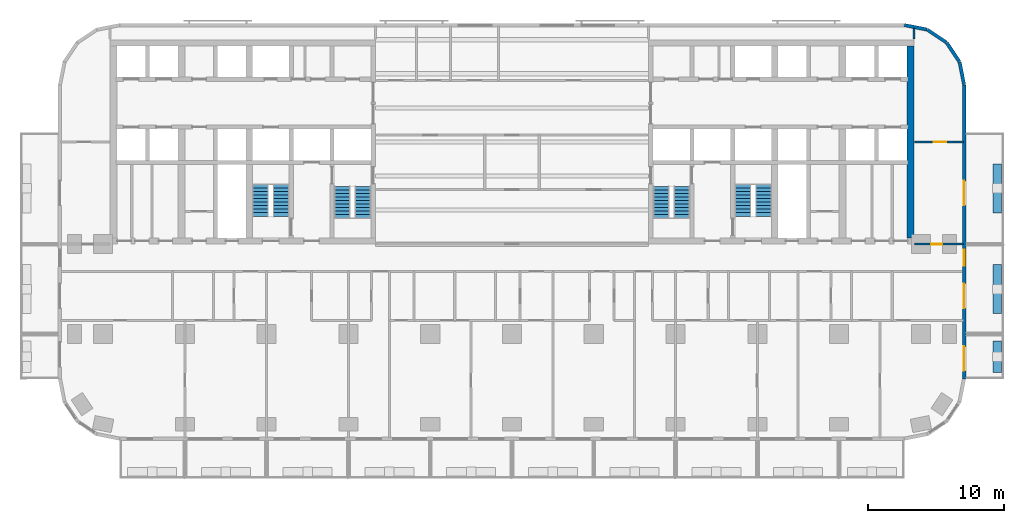
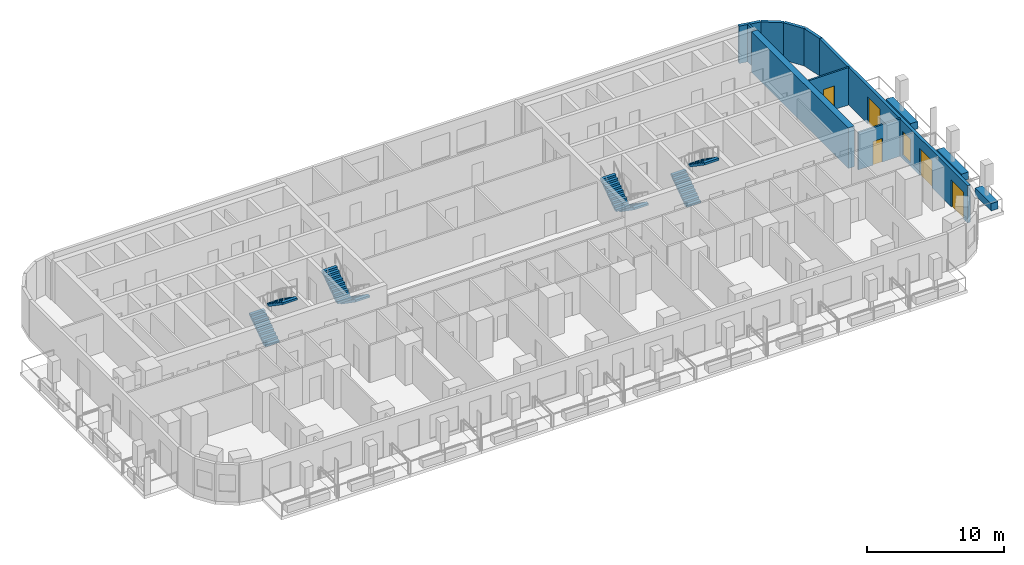
# One storey, part 10 of 15: 12 walls, 8 stair flights, 5 doors, 1 window, 6 openings, 4 elements without a shape of their own.
"""IFC4 building model written with IfcOpenShell, lengths in metres."""

from ifc_helpers import new_model, si_unit, direction, frame, frame_2d, origin, place, context, subcontext, project, spatial, polyline, rectangle, outline, extrude, material, layer, layer_set, type_object, element, fill, aggregate, save


model = new_model("IFC4")

# Units and contexts
model_context = context("Model", 3, precision=1e-05, world=origin(), true_north=direction((0.0, 1.0)))
body_context = subcontext(model_context, "Body", "Model", "MODEL_VIEW")
ifc_project = project(units=[si_unit("LENGTHUNIT", "METRE"), si_unit("AREAUNIT", "SQUARE_METRE"), si_unit("VOLUMEUNIT", "CUBIC_METRE"), si_unit("PLANEANGLEUNIT", "RADIAN"), si_unit("MASSUNIT", "GRAM", prefix="KILO")], contexts=[model_context])

# Site, building, storey
site_placement = place(None, origin())
site = spatial("IfcSite", under=ifc_project, at=site_placement, CompositionType="ELEMENT")
building_placement = place(site_placement, origin())
building = spatial("IfcBuilding", under=site, at=building_placement, Name="Torana Hotel and Residences", CompositionType="ELEMENT")
storey_placement = place(building_placement, frame((0.0, 0.0, 92.39990234375)))
storey = spatial("IfcBuildingStorey", under=building, at=storey_placement, Name="L23", CompositionType="ELEMENT", Elevation=92.39990234375)

# Walls
ifc_material_1 = material(Name="Concrete C80/95", Category="concrete")
ifc_layer_1 = layer(ifc_material_1, 0.5)
ifc_layer_set_1 = layer_set([ifc_layer_1], Name="CORE WALL 500 C80/95")
wall_type_1 = type_object("IfcWallType", Name="CORE WALL 500 C80/95", PredefinedType="SHEAR", material=ifc_layer_set_1)
wall_1_placement = place(storey_placement, frame((29.25, -14.550048828125, 0.0), z_axis=(0.0, 0.0, 1.0), x_axis=(0.0, 1.0, 0.0)))
element("IfcWall", 1, at=wall_1_placement, inside=storey, type_object=wall_type_1, Name="Core wall E outer", PredefinedType="SHEAR", context=body_context, shape_type="SweptSolid", body=[
    extrude(rectangle(XDim=14.10009765625, YDim=0.5, at=frame_2d((7.050048828125, 0.0))), origin(), (0.0, 0.0, 1.0), 3.60009765625),
])
ifc_material_2 = material(Name="Black aluminium composite panel", Category="aluminium")
ifc_layer_2 = layer(ifc_material_2, 0.00390625, Name="Cladding", Category="cladding")
ifc_material_3 = material(Name="Ventilated air cavity")
ifc_layer_3 = layer(ifc_material_3, 0.0400390625, Name="Ventilated cavity", Category="cavity")
ifc_material_4 = material(Name="Mineral wool insulation")
ifc_layer_4 = layer(ifc_material_4, 0.090087890625, Name="Insulation", Category="insulation")
ifc_material_5 = material(Name="Steel S280GD", Category="steel")
ifc_layer_5 = layer(ifc_material_5, 0.092041015625, Name="Steel stud frame", Category="structure")
ifc_material_6 = material(Name="Fire rated plasterboard")
ifc_layer_6 = layer(ifc_material_6, 0.011962890625, Name="Inner board", Category="finish")
ifc_layer_7 = layer(ifc_material_6, 0.011962890625, Name="Second board", Category="finish")
ifc_layer_set_2 = layer_set([ifc_layer_2, ifc_layer_3, ifc_layer_4, ifc_layer_5, ifc_layer_6, ifc_layer_7], Name="EW1 EXTERNAL WALL BLACK METAL CLAD 250")
wall_type_2 = type_object("IfcWallType", Name="EW1 EXTERNAL WALL BLACK METAL CLAD 250", PredefinedType="SOLIDWALL", material=ifc_layer_set_2)
wall_2_placement = place(storey_placement, frame((33.172607421875, -3.30029296875, 0.0), z_axis=(0.0, 0.0, 1.0), x_axis=(-0.19513878023, 0.980775640221, 0.0)))
element("IfcWall", 2, at=wall_2_placement, inside=storey, type_object=wall_type_2, Name="External wall L23 e0.0", PredefinedType="SOLIDWALL", context=body_context, shape_type="SweptSolid", body=[
    extrude(rectangle(XDim=1.681396484375, YDim=0.25, at=frame_2d((0.8408203125, 0.0))), origin(), (0.0, 0.0, 1.0), 3.320068359375),
])
for number, where, z_axis, x_axis, name in (
    (3, (32.825927734375, -1.60595703125, 0.0), (0.0, 0.0, 1.0), (-0.55555029066, 0.831482937015, 0.0), "External wall L23 e0.1"),
    (4, (31.87109375, -0.1943359375, 0.0), (0.0, 0.0, 1.0), (-0.831482937015, 0.55555029066, 0.0), "External wall L23 e0.2"),
):
    element("IfcWall", number, at=place(storey_placement, frame(where, z_axis=z_axis, x_axis=x_axis)), inside=storey, type_object=wall_type_2, Name=name, PredefinedType="SOLIDWALL", context=body_context, shape_type="SweptSolid", body=[
        extrude(rectangle(XDim=1.65625, YDim=0.25, at=frame_2d((0.828125, 0.0))), origin(), (0.0, 0.0, 1.0), 3.320068359375),
    ])
wall_3_placement = place(storey_placement, frame((30.448974609375, 0.74462890625, 0.0), z_axis=(0.0, 0.0, 1.0), x_axis=(-0.980803419081, 0.194999110559, 0.0)))
element("IfcWall", 5, at=wall_3_placement, inside=storey, type_object=wall_type_2, Name="External wall L23 e0.3", PredefinedType="SOLIDWALL", context=body_context, shape_type="SweptSolid", body=[
    extrude(rectangle(XDim=1.681396484375, YDim=0.25, at=frame_2d((0.8408203125, 0.0))), origin(), (0.0, 0.0, 1.0), 3.320068359375),
])

# Wall, openings, doors, window
wall_4_placement = place(storey_placement, frame((33.175048828125, -24.87548828125, 0.0), z_axis=(0.0, 0.0, 1.0), x_axis=(0.0, 1.0, 0.0)))
wall_4 = element("IfcWall", 6, at=wall_4_placement, inside=storey, type_object=wall_type_2, Name="External wall L23 e0.19", PredefinedType="SOLIDWALL", context=body_context, shape_type="SweptSolid", body=[
    extrude(rectangle(XDim=21.55078125, YDim=0.25, at=frame_2d((10.775390625, 0.0))), origin(), (0.0, 0.0, 1.0), 3.320068359375),
])
opening_1_placement = place(wall_4_placement, frame((0.575439453125, 0.0, 0.0)))
opening_1 = element("IfcOpeningElement", 7, at=opening_1_placement, cuts=wall_4, Name="Opening L23-E11", PredefinedType="OPENING", context=body_context, shape_type="SweptSolid", body=[
    extrude(rectangle(XDim=1.800048828125, YDim=2.39990234375, at=frame_2d((0.89990234375, 1.199951171875))), frame((0.0, 0.135009765625, 0.0), z_axis=(0.0, -1.0, 0.0), x_axis=(1.0, 0.0, 0.0)), (0.0, 0.0, 1.0), 0.27001953125),
])
opening_2_placement = place(wall_4_placement, frame((5.17529296875, 0.0, 0.0)))
opening_2 = element("IfcOpeningElement", 8, at=opening_2_placement, cuts=wall_4, Name="Opening L23-E12", PredefinedType="OPENING", context=body_context, shape_type="SweptSolid", body=[
    extrude(rectangle(XDim=1.800048828125, YDim=2.39990234375, at=frame_2d((0.89990234375, 1.199951171875))), frame((0.0, 0.135009765625, 0.0), z_axis=(0.0, -1.0, 0.0), x_axis=(1.0, 0.0, 0.0)), (0.0, 0.0, 1.0), 0.27001953125),
])
opening_3_placement = place(wall_4_placement, frame((8.275390625, 0.0, 0.300048828125)))
opening_3 = element("IfcOpeningElement", 9, at=opening_3_placement, cuts=wall_4, Name="Opening W7", PredefinedType="OPENING", context=body_context, shape_type="SweptSolid", body=[
    extrude(rectangle(XDim=1.199951171875, YDim=2.10009765625, at=frame_2d((0.60009765625, 1.050048828125))), frame((0.0, 0.135009765625, 0.0), z_axis=(0.0, -1.0, 0.0), x_axis=(1.0, 0.0, 0.0)), (0.0, 0.0, 1.0), 0.27001953125),
])
opening_4_placement = place(wall_4_placement, frame((12.725341796875, 0.0, 0.0)))
opening_4 = element("IfcOpeningElement", 10, at=opening_4_placement, cuts=wall_4, Name="Opening L23-E13", PredefinedType="OPENING", context=body_context, shape_type="SweptSolid", body=[
    extrude(rectangle(XDim=1.800048828125, YDim=2.39990234375, at=frame_2d((0.89990234375, 1.199951171875))), frame((0.0, 0.135009765625, 0.0), z_axis=(0.0, -1.0, 0.0), x_axis=(1.0, 0.0, 0.0)), (0.0, 0.0, 1.0), 0.27001953125),
])
ifc_material_7 = material(Name="Dark glass in black aluminium frame", Category="aluminium")
door_type_1 = type_object("IfcDoorType", Name="DB1 BALCONY DOOR 1800x2400", OperationType="DOUBLE_DOOR_SINGLE_SWING", PredefinedType="DOOR", material=ifc_material_7)
door_1_placement = place(opening_1_placement, origin())
door_1 = element("IfcDoor", 11, at=door_1_placement, inside=storey, type_object=door_type_1, Name="Balcony door L23", OperationType="DOUBLE_DOOR_SINGLE_SWING", OverallHeight=2.39990234375, OverallWidth=1.800048828125, PredefinedType="DOOR", context=body_context, shape_type="SweptSolid", body=[
    extrude(rectangle(XDim=1.800048828125, YDim=2.39990234375, at=frame_2d((0.89990234375, 1.199951171875))), frame((0.0, 0.02490234375, 0.0), z_axis=(0.0, -1.0, 0.0), x_axis=(1.0, 0.0, 0.0)), (0.0, 0.0, 1.0), 0.050048828125),
])
fill(opening_1, door_1)
door_2_placement = place(opening_2_placement, origin())
door_2 = element("IfcDoor", 12, at=door_2_placement, inside=storey, type_object=door_type_1, Name="Balcony door L23", OperationType="DOUBLE_DOOR_SINGLE_SWING", OverallHeight=2.39990234375, OverallWidth=1.800048828125, PredefinedType="DOOR", context=body_context, shape_type="SweptSolid", body=[
    extrude(rectangle(XDim=1.800048828125, YDim=2.39990234375, at=frame_2d((0.89990234375, 1.199951171875))), frame((0.0, 0.02490234375, 0.0), z_axis=(0.0, -1.0, 0.0), x_axis=(1.0, 0.0, 0.0)), (0.0, 0.0, 1.0), 0.050048828125),
])
fill(opening_2, door_2)
door_3_placement = place(opening_4_placement, origin())
door_3 = element("IfcDoor", 13, at=door_3_placement, inside=storey, type_object=door_type_1, Name="Balcony door L23", OperationType="DOUBLE_DOOR_SINGLE_SWING", OverallHeight=2.39990234375, OverallWidth=1.800048828125, PredefinedType="DOOR", context=body_context, shape_type="SweptSolid", body=[
    extrude(rectangle(XDim=1.800048828125, YDim=2.39990234375, at=frame_2d((0.89990234375, 1.199951171875))), frame((0.0, 0.02490234375, 0.0), z_axis=(0.0, -1.0, 0.0), x_axis=(1.0, 0.0, 0.0)), (0.0, 0.0, 1.0), 0.050048828125),
])
fill(opening_4, door_3)
ifc_material_8 = material(Name="Dark glass in black aluminium frame", Category="aluminium")
window_type = type_object("IfcWindowType", Name="W7 HOTEL CORRIDOR WINDOW 1200x2100", PartitioningType="SINGLE_PANEL", PredefinedType="WINDOW", material=ifc_material_8)
window_placement = place(opening_3_placement, origin())
window = element("IfcWindow", 14, at=window_placement, inside=storey, type_object=window_type, Name="Window L23", OverallHeight=2.10009765625, OverallWidth=1.199951171875, PartitioningType="SINGLE_PANEL", PredefinedType="WINDOW", context=body_context, shape_type="SweptSolid", body=[
    extrude(rectangle(XDim=1.199951171875, YDim=2.10009765625, at=frame_2d((0.60009765625, 1.050048828125))), frame((0.0, 0.030029296875, 0.0), z_axis=(0.0, -1.0, 0.0), x_axis=(1.0, 0.0, 0.0)), (0.0, 0.0, 1.0), 0.06005859375),
])
fill(opening_3, window)

# Wall, opening, door
ifc_material_9 = material(Name="Gypsum plaster")
ifc_layer_8 = layer(ifc_material_9, 0.014892578125, Name="Plaster", Category="finish")
ifc_material_10 = material(Name="Concrete blockwork", Category="masonry")
ifc_layer_9 = layer(ifc_material_10, 0.1201171875, Name="Blockwork", Category="structure")
ifc_layer_10 = layer(ifc_material_9, 0.014892578125, Name="Plaster", Category="finish")
ifc_layer_set_3 = layer_set([ifc_layer_8, ifc_layer_9, ifc_layer_10], Name="FIRE PARTITION 150 BLOCKWORK")
wall_type_3 = type_object("IfcWallType", Name="FIRE PARTITION 150 BLOCKWORK", PredefinedType="PARTITIONING", material=ifc_layer_set_3)
wall_5_placement = place(storey_placement, frame((29.550048828125, -15.0, 0.0), z_axis=(0.0, 0.0, 1.0), x_axis=(1.0, 0.0, 0.0)))
wall_5 = element("IfcWall", 15, at=wall_5_placement, inside=storey, type_object=wall_type_3, Name="Partition L23", PredefinedType="PARTITIONING", context=body_context, shape_type="SweptSolid", body=[
    extrude(rectangle(XDim=3.570068359375, YDim=0.14990234375, at=frame_2d((1.78515625, 0.0))), origin(), (0.0, 0.0, 1.0), 3.320068359375),
])
opening_5_placement = place(wall_5_placement, frame((1.205078125, 0.0, 0.0)))
opening_5 = element("IfcOpeningElement", 16, at=opening_5_placement, cuts=wall_5, Name="Opening L23-49", PredefinedType="OPENING", context=body_context, shape_type="SweptSolid", body=[
    extrude(rectangle(XDim=0.800048828125, YDim=2.10009765625, at=frame_2d((0.39990234375, 1.050048828125))), frame((0.0, 0.0849609375, 0.0), z_axis=(0.0, -1.0, 0.0), x_axis=(1.0, 0.0, 0.0)), (0.0, 0.0, 1.0), 0.169921875),
])
ifc_material_11 = material(Name="Steel S235", Category="steel")
door_type_2 = type_object("IfcDoorType", Name="STORE FIRE DOOR D16 800x2100", OperationType="SINGLE_SWING_LEFT", PredefinedType="DOOR", material=ifc_material_11)
door_4_placement = place(opening_5_placement, origin())
door_4 = element("IfcDoor", 17, at=door_4_placement, inside=storey, type_object=door_type_2, Name="Door L23", OperationType="SINGLE_SWING_RIGHT", OverallHeight=2.10009765625, OverallWidth=0.800048828125, PredefinedType="DOOR", context=body_context, shape_type="SweptSolid", body=[
    extrude(rectangle(XDim=0.800048828125, YDim=2.10009765625, at=frame_2d((0.39990234375, 1.050048828125))), frame((0.0, 0.02490234375, 0.0), z_axis=(0.0, -1.0, 0.0), x_axis=(1.0, 0.0, 0.0)), (0.0, 0.0, 1.0), 0.050048828125),
])
fill(opening_5, door_4)

# Wall
ifc_material_12 = material(Name="Gypsum plasterboard")
ifc_layer_11 = layer(ifc_material_12, 0.012451171875, Name="Plasterboard", Category="finish")
ifc_layer_12 = layer(ifc_material_12, 0.012451171875, Name="Plasterboard", Category="finish")
ifc_layer_13 = layer(ifc_material_5, 0.10009765625, Name="Steel studs with mineral wool", Category="insulation")
ifc_layer_14 = layer(ifc_material_12, 0.012451171875, Name="Plasterboard", Category="finish")
ifc_layer_15 = layer(ifc_material_12, 0.012451171875, Name="Plasterboard", Category="finish")
ifc_layer_set_4 = layer_set([ifc_layer_11, ifc_layer_12, ifc_layer_13, ifc_layer_14, ifc_layer_15], Name="PARTITION 150 PLASTERBOARD")
wall_type_4 = type_object("IfcWallType", Name="PARTITION 150 PLASTERBOARD", PredefinedType="PARTITIONING", material=ifc_layer_set_4)
wall_6_placement = place(storey_placement, frame((29.5, 0.050048828125, 0.0), z_axis=(0.0, 0.0, 1.0), x_axis=(0.0, 1.0, 0.0)))
element("IfcWall", 18, at=wall_6_placement, inside=storey, type_object=wall_type_4, Name="Partition L23", PredefinedType="PARTITIONING", context=body_context, shape_type="SweptSolid", body=[
    extrude(rectangle(XDim=0.8271484375, YDim=0.14990234375, at=frame_2d((0.41357421875, 0.0))), origin(), (0.0, 0.0, 1.0), 3.320068359375),
])

# Wall, opening, door
wall_7_placement = place(storey_placement, frame((29.550048828125, -7.5, 0.0), z_axis=(0.0, 0.0, 1.0), x_axis=(1.0, 0.0, 0.0)))
wall_7 = element("IfcWall", 19, at=wall_7_placement, inside=storey, type_object=wall_type_4, Name="Partition L23", PredefinedType="PARTITIONING", context=body_context, shape_type="SweptSolid", body=[
    extrude(rectangle(XDim=3.570068359375, YDim=0.14990234375, at=frame_2d((1.78515625, 0.0))), origin(), (0.0, 0.0, 1.0), 3.320068359375),
])
opening_6_placement = place(wall_7_placement, frame((1.39990234375, 0.0, 0.0)))
opening_6 = element("IfcOpeningElement", 20, at=opening_6_placement, cuts=wall_7, Name="Opening L23-85", PredefinedType="OPENING", context=body_context, shape_type="SweptSolid", body=[
    extrude(rectangle(XDim=0.89990234375, YDim=2.10009765625, at=frame_2d((0.449951171875, 1.050048828125))), frame((0.0, 0.0849609375, 0.0), z_axis=(0.0, -1.0, 0.0), x_axis=(1.0, 0.0, 0.0)), (0.0, 0.0, 1.0), 0.169921875),
])
ifc_material_13 = material(Name="Timber door, oiled ash", Category="wood")
door_type_3 = type_object("IfcDoorType", Name="ROOM DOOR D7 900x2100", OperationType="SINGLE_SWING_LEFT", PredefinedType="DOOR", material=ifc_material_13)
door_5_placement = place(opening_6_placement, origin())
door_5 = element("IfcDoor", 21, at=door_5_placement, inside=storey, type_object=door_type_3, Name="Door L23", OperationType="SINGLE_SWING_LEFT", OverallHeight=2.10009765625, OverallWidth=0.89990234375, PredefinedType="DOOR", context=body_context, shape_type="SweptSolid", body=[
    extrude(rectangle(XDim=0.89990234375, YDim=2.10009765625, at=frame_2d((0.449951171875, 1.050048828125))), frame((0.0, 0.02490234375, 0.0), z_axis=(0.0, -1.0, 0.0), x_axis=(1.0, 0.0, 0.0)), (0.0, 0.0, 1.0), 0.050048828125),
])
fill(opening_6, door_5)

# Walls
ifc_material_14 = material(Name="Concrete C40/50 precast", Category="concrete")
ifc_layer_16 = layer(ifc_material_14, 0.10009765625, Name="Planter shell", Category="structure")
ifc_material_15 = material(Name="Root resistant membrane")
ifc_layer_17 = layer(ifc_material_15, 0.00390625, Name="Waterproofing membrane", Category="membrane")
ifc_material_16 = material(Name="Drainage board with filter fleece")
ifc_layer_18 = layer(ifc_material_16, 0.02001953125, Name="Drainage board", Category="drainage")
ifc_material_17 = material(Name="Growing medium")
ifc_layer_19 = layer(ifc_material_17, 0.47607421875, Name="Planting substrate", Category="soil")
ifc_layer_set_5 = layer_set([ifc_layer_16, ifc_layer_17, ifc_layer_18, ifc_layer_19], Name="PL1 BALCONY PLANTER 600")
wall_type_5 = type_object("IfcWallType", Name="PL1 BALCONY PLANTER 600", PredefinedType="USERDEFINED", material=ifc_layer_set_5)
wall_8_placement = place(storey_placement, frame((35.60009765625, -22.10009765625, 0.0), z_axis=(0.0, 0.0, 1.0), x_axis=(0.0, -1.0, 0.0)))
element("IfcWall", 22, at=wall_8_placement, inside=storey, type_object=wall_type_5, Name="Planter 14", ObjectType="PLANTER", PredefinedType="USERDEFINED", context=body_context, shape_type="SweptSolid", body=[
    extrude(rectangle(XDim=2.2998046875, YDim=0.60009765625, at=frame_2d((1.14990234375, 0.0))), origin(), (0.0, 0.0, 1.0), 0.650146484375),
])
wall_9_placement = place(storey_placement, frame((35.60009765625, -16.5, 0.0), z_axis=(0.0, 0.0, 1.0), x_axis=(0.0, -1.0, 0.0)))
element("IfcWall", 23, at=wall_9_placement, inside=storey, type_object=wall_type_5, Name="Planter 15", ObjectType="PLANTER", PredefinedType="USERDEFINED", context=body_context, shape_type="SweptSolid", body=[
    extrude(rectangle(XDim=3.60009765625, YDim=0.60009765625, at=frame_2d((1.800048828125, 0.0))), origin(), (0.0, 0.0, 1.0), 0.650146484375),
])
wall_10_placement = place(storey_placement, frame((35.60009765625, -9.10009765625, 0.0), z_axis=(0.0, 0.0, 1.0), x_axis=(0.0, -1.0, 0.0)))
element("IfcWall", 24, at=wall_10_placement, inside=storey, type_object=wall_type_5, Name="Planter 16", ObjectType="PLANTER", PredefinedType="USERDEFINED", context=body_context, shape_type="SweptSolid", body=[
    extrude(rectangle(XDim=3.599853515625, YDim=0.60009765625, at=frame_2d((1.7998046875, 0.0))), origin(), (0.0, 0.0, 1.0), 0.650146484375),
])

# Stair, stair flights
ifc_material_18 = material(Name="Concrete C40/50 precast", Category="concrete")
stair_type_1 = type_object("IfcStairType", Name="STAIR ST1 HALF TURN 1200", PredefinedType="HALF_TURN_STAIR", material=ifc_material_18)
stair_1_placement = place(storey_placement, origin())
stair_1 = element("IfcStair", 25, at=stair_1_placement, inside=storey, type_object=stair_type_1, Name="Stair ST1 L23", PredefinedType="HALF_TURN_STAIR")
ifc_material_19 = material(Name="Concrete C40/50 precast", Category="concrete")
stair_flight_type = type_object("IfcStairFlightType", Name="STAIR FLIGHT 1200 PRECAST", PredefinedType="STRAIGHT", material=ifc_material_19)
stair_flight_1_placement = place(storey_placement, frame((-10.949951171875, -10.75, 0.0), z_axis=(0.0, 0.0, 1.0), x_axis=(0.0, -1.0, 0.0)))
stair_flight_1 = element("IfcStairFlight", 26, at=stair_flight_1_placement, type_object=stair_flight_type, Name="ST1 flight 1", NumberOfRisers=10, NumberOfTreads=9, PredefinedType="STRAIGHT", RiserHeight=0.18, TreadLength=0.26, context=body_context, shape_type="SweptSolid", body=[
    extrude(outline(polyline([(0.0, 0.0), (0.0, 0.179931640625), (0.260009765625, 0.179931640625), (0.260009765625, 0.360107421875), (0.52001953125, 0.360107421875), (0.52001953125, 0.5400390625), (0.780029296875, 0.5400390625), (0.780029296875, 0.719970703125), (1.0400390625, 0.719970703125), (1.0400390625, 0.89990234375), (1.300048828125, 0.89990234375), (1.300048828125, 1.080078125), (1.56005859375, 1.080078125), (1.56005859375, 1.260009765625), (1.820068359375, 1.260009765625), (1.820068359375, 1.43994140625), (2.080078125, 1.43994140625), (2.080078125, 1.6201171875), (2.340087890625, 1.6201171875), (2.340087890625, 1.800048828125), (2.340087890625, 1.437744140625), (0.263427734375, 0.0), (0.0, 0.0)])), frame((0.0, 0.60009765625, 0.0), z_axis=(0.0, -1.0, 0.0), x_axis=(1.0, 0.0, 0.0)), (0.0, 0.0, 1.0), 1.199951171875),
])
stair_flight_2_placement = place(storey_placement, frame((-12.449951171875, -13.090087890625, 1.800048828125), z_axis=(0.0, 0.0, 1.0), x_axis=(0.0, 1.0, 0.0)))
stair_flight_2 = element("IfcStairFlight", 27, at=stair_flight_2_placement, type_object=stair_flight_type, Name="ST1 flight 2", NumberOfRisers=10, NumberOfTreads=9, PredefinedType="STRAIGHT", RiserHeight=0.18, TreadLength=0.26, context=body_context, shape_type="SweptSolid", body=[
    extrude(outline(polyline([(0.0, 0.0), (0.0, 0.179931640625), (0.260009765625, 0.179931640625), (0.260009765625, 0.360107421875), (0.52001953125, 0.360107421875), (0.52001953125, 0.5400390625), (0.780029296875, 0.5400390625), (0.780029296875, 0.719970703125), (1.0400390625, 0.719970703125), (1.0400390625, 0.89990234375), (1.300048828125, 0.89990234375), (1.300048828125, 1.080078125), (1.56005859375, 1.080078125), (1.56005859375, 1.260009765625), (1.820068359375, 1.260009765625), (1.820068359375, 1.43994140625), (2.080078125, 1.43994140625), (2.080078125, 1.6201171875), (2.340087890625, 1.6201171875), (2.340087890625, 1.800048828125), (2.340087890625, 1.437744140625), (0.263427734375, 0.0), (0.0, 0.0)])), frame((0.0, 0.60009765625, 0.0), z_axis=(0.0, -1.0, 0.0), x_axis=(1.0, 0.0, 0.0)), (0.0, 0.0, 1.0), 1.199951171875),
])
aggregate(stair_1, [stair_flight_1, stair_flight_2])

ifc_material_20 = material(Name="Concrete C40/50 precast", Category="concrete")
stair_type_2 = type_object("IfcStairType", Name="STAIR ST2 HALF TURN 1200", PredefinedType="HALF_TURN_STAIR", material=ifc_material_20)
stair_2_placement = place(storey_placement, origin())
stair_2 = element("IfcStair", 28, at=stair_2_placement, inside=storey, type_object=stair_type_2, Name="Stair ST2 L23", PredefinedType="HALF_TURN_STAIR")
stair_flight_3_placement = place(storey_placement, frame((-18.449951171875, -12.949951171875, 0.0), z_axis=(0.0, 0.0, 1.0), x_axis=(0.0, 1.0, 0.0)))
stair_flight_3 = element("IfcStairFlight", 29, at=stair_flight_3_placement, type_object=stair_flight_type, Name="ST2 flight 1", NumberOfRisers=10, NumberOfTreads=9, PredefinedType="STRAIGHT", RiserHeight=0.18, TreadLength=0.26, context=body_context, shape_type="SweptSolid", body=[
    extrude(outline(polyline([(0.0, 0.0), (0.0, 0.179931640625), (0.260009765625, 0.179931640625), (0.260009765625, 0.360107421875), (0.52001953125, 0.360107421875), (0.52001953125, 0.5400390625), (0.780029296875, 0.5400390625), (0.780029296875, 0.719970703125), (1.0400390625, 0.719970703125), (1.0400390625, 0.89990234375), (1.300048828125, 0.89990234375), (1.300048828125, 1.080078125), (1.56005859375, 1.080078125), (1.56005859375, 1.260009765625), (1.820068359375, 1.260009765625), (1.820068359375, 1.43994140625), (2.080078125, 1.43994140625), (2.080078125, 1.6201171875), (2.340087890625, 1.6201171875), (2.340087890625, 1.800048828125), (2.340087890625, 1.437744140625), (0.263427734375, 0.0), (0.0, 0.0)])), frame((0.0, 0.60009765625, 0.0), z_axis=(0.0, -1.0, 0.0), x_axis=(1.0, 0.0, 0.0)), (0.0, 0.0, 1.0), 1.199951171875),
])
stair_flight_4_placement = place(storey_placement, frame((-16.949951171875, -10.610107421875, 1.800048828125), z_axis=(0.0, 0.0, 1.0), x_axis=(0.0, -1.0, 0.0)))
stair_flight_4 = element("IfcStairFlight", 30, at=stair_flight_4_placement, type_object=stair_flight_type, Name="ST2 flight 2", NumberOfRisers=10, NumberOfTreads=9, PredefinedType="STRAIGHT", RiserHeight=0.18, TreadLength=0.26, context=body_context, shape_type="SweptSolid", body=[
    extrude(outline(polyline([(0.0, 0.0), (0.0, 0.179931640625), (0.260009765625, 0.179931640625), (0.260009765625, 0.360107421875), (0.52001953125, 0.360107421875), (0.52001953125, 0.5400390625), (0.780029296875, 0.5400390625), (0.780029296875, 0.719970703125), (1.0400390625, 0.719970703125), (1.0400390625, 0.89990234375), (1.300048828125, 0.89990234375), (1.300048828125, 1.080078125), (1.56005859375, 1.080078125), (1.56005859375, 1.260009765625), (1.820068359375, 1.260009765625), (1.820068359375, 1.43994140625), (2.080078125, 1.43994140625), (2.080078125, 1.6201171875), (2.340087890625, 1.6201171875), (2.340087890625, 1.800048828125), (2.340087890625, 1.437744140625), (0.263427734375, 0.0), (0.0, 0.0)])), frame((0.0, 0.60009765625, 0.0), z_axis=(0.0, -1.0, 0.0), x_axis=(1.0, 0.0, 0.0)), (0.0, 0.0, 1.0), 1.199951171875),
])
aggregate(stair_2, [stair_flight_3, stair_flight_4])

ifc_material_21 = material(Name="Concrete C40/50 precast", Category="concrete")
stair_type_3 = type_object("IfcStairType", Name="STAIR ST3 HALF TURN 1200", PredefinedType="HALF_TURN_STAIR", material=ifc_material_21)
stair_3_placement = place(storey_placement, origin())
stair_3 = element("IfcStair", 31, at=stair_3_placement, inside=storey, type_object=stair_type_3, Name="Stair ST3 L23", PredefinedType="HALF_TURN_STAIR")
stair_flight_5_placement = place(storey_placement, frame((12.449951171875, -10.75, 0.0), z_axis=(0.0, 0.0, 1.0), x_axis=(0.0, -1.0, 0.0)))
stair_flight_5 = element("IfcStairFlight", 32, at=stair_flight_5_placement, type_object=stair_flight_type, Name="ST3 flight 1", NumberOfRisers=10, NumberOfTreads=9, PredefinedType="STRAIGHT", RiserHeight=0.18, TreadLength=0.26, context=body_context, shape_type="SweptSolid", body=[
    extrude(outline(polyline([(0.0, 0.0), (0.0, 0.179931640625), (0.260009765625, 0.179931640625), (0.260009765625, 0.360107421875), (0.52001953125, 0.360107421875), (0.52001953125, 0.5400390625), (0.780029296875, 0.5400390625), (0.780029296875, 0.719970703125), (1.0400390625, 0.719970703125), (1.0400390625, 0.89990234375), (1.300048828125, 0.89990234375), (1.300048828125, 1.080078125), (1.56005859375, 1.080078125), (1.56005859375, 1.260009765625), (1.820068359375, 1.260009765625), (1.820068359375, 1.43994140625), (2.080078125, 1.43994140625), (2.080078125, 1.6201171875), (2.340087890625, 1.6201171875), (2.340087890625, 1.800048828125), (2.340087890625, 1.437744140625), (0.263427734375, 0.0), (0.0, 0.0)])), frame((0.0, 0.60009765625, 0.0), z_axis=(0.0, -1.0, 0.0), x_axis=(1.0, 0.0, 0.0)), (0.0, 0.0, 1.0), 1.199951171875),
])
stair_flight_6_placement = place(storey_placement, frame((10.949951171875, -13.090087890625, 1.800048828125), z_axis=(0.0, 0.0, 1.0), x_axis=(0.0, 1.0, 0.0)))
stair_flight_6 = element("IfcStairFlight", 33, at=stair_flight_6_placement, type_object=stair_flight_type, Name="ST3 flight 2", NumberOfRisers=10, NumberOfTreads=9, PredefinedType="STRAIGHT", RiserHeight=0.18, TreadLength=0.26, context=body_context, shape_type="SweptSolid", body=[
    extrude(outline(polyline([(0.0, 0.0), (0.0, 0.179931640625), (0.260009765625, 0.179931640625), (0.260009765625, 0.360107421875), (0.52001953125, 0.360107421875), (0.52001953125, 0.5400390625), (0.780029296875, 0.5400390625), (0.780029296875, 0.719970703125), (1.0400390625, 0.719970703125), (1.0400390625, 0.89990234375), (1.300048828125, 0.89990234375), (1.300048828125, 1.080078125), (1.56005859375, 1.080078125), (1.56005859375, 1.260009765625), (1.820068359375, 1.260009765625), (1.820068359375, 1.43994140625), (2.080078125, 1.43994140625), (2.080078125, 1.6201171875), (2.340087890625, 1.6201171875), (2.340087890625, 1.800048828125), (2.340087890625, 1.437744140625), (0.263427734375, 0.0), (0.0, 0.0)])), frame((0.0, 0.60009765625, 0.0), z_axis=(0.0, -1.0, 0.0), x_axis=(1.0, 0.0, 0.0)), (0.0, 0.0, 1.0), 1.199951171875),
])
aggregate(stair_3, [stair_flight_5, stair_flight_6])

ifc_material_22 = material(Name="Concrete C40/50 precast", Category="concrete")
stair_type_4 = type_object("IfcStairType", Name="STAIR ST4 HALF TURN 1200", PredefinedType="HALF_TURN_STAIR", material=ifc_material_22)
stair_4_placement = place(storey_placement, origin())
stair_4 = element("IfcStair", 34, at=stair_4_placement, inside=storey, type_object=stair_type_4, Name="Stair ST4 L23", PredefinedType="HALF_TURN_STAIR")
stair_flight_7_placement = place(storey_placement, frame((16.949951171875, -12.949951171875, 0.0), z_axis=(0.0, 0.0, 1.0), x_axis=(0.0, 1.0, 0.0)))
stair_flight_7 = element("IfcStairFlight", 35, at=stair_flight_7_placement, type_object=stair_flight_type, Name="ST4 flight 1", NumberOfRisers=10, NumberOfTreads=9, PredefinedType="STRAIGHT", RiserHeight=0.18, TreadLength=0.26, context=body_context, shape_type="SweptSolid", body=[
    extrude(outline(polyline([(0.0, 0.0), (0.0, 0.179931640625), (0.260009765625, 0.179931640625), (0.260009765625, 0.360107421875), (0.52001953125, 0.360107421875), (0.52001953125, 0.5400390625), (0.780029296875, 0.5400390625), (0.780029296875, 0.719970703125), (1.0400390625, 0.719970703125), (1.0400390625, 0.89990234375), (1.300048828125, 0.89990234375), (1.300048828125, 1.080078125), (1.56005859375, 1.080078125), (1.56005859375, 1.260009765625), (1.820068359375, 1.260009765625), (1.820068359375, 1.43994140625), (2.080078125, 1.43994140625), (2.080078125, 1.6201171875), (2.340087890625, 1.6201171875), (2.340087890625, 1.800048828125), (2.340087890625, 1.437744140625), (0.263427734375, 0.0), (0.0, 0.0)])), frame((0.0, 0.60009765625, 0.0), z_axis=(0.0, -1.0, 0.0), x_axis=(1.0, 0.0, 0.0)), (0.0, 0.0, 1.0), 1.199951171875),
])
stair_flight_8_placement = place(storey_placement, frame((18.449951171875, -10.610107421875, 1.800048828125), z_axis=(0.0, 0.0, 1.0), x_axis=(0.0, -1.0, 0.0)))
stair_flight_8 = element("IfcStairFlight", 36, at=stair_flight_8_placement, type_object=stair_flight_type, Name="ST4 flight 2", NumberOfRisers=10, NumberOfTreads=9, PredefinedType="STRAIGHT", RiserHeight=0.18, TreadLength=0.26, context=body_context, shape_type="SweptSolid", body=[
    extrude(outline(polyline([(0.0, 0.0), (0.0, 0.179931640625), (0.260009765625, 0.179931640625), (0.260009765625, 0.360107421875), (0.52001953125, 0.360107421875), (0.52001953125, 0.5400390625), (0.780029296875, 0.5400390625), (0.780029296875, 0.719970703125), (1.0400390625, 0.719970703125), (1.0400390625, 0.89990234375), (1.300048828125, 0.89990234375), (1.300048828125, 1.080078125), (1.56005859375, 1.080078125), (1.56005859375, 1.260009765625), (1.820068359375, 1.260009765625), (1.820068359375, 1.43994140625), (2.080078125, 1.43994140625), (2.080078125, 1.6201171875), (2.340087890625, 1.6201171875), (2.340087890625, 1.800048828125), (2.340087890625, 1.437744140625), (0.263427734375, 0.0), (0.0, 0.0)])), frame((0.0, 0.60009765625, 0.0), z_axis=(0.0, -1.0, 0.0), x_axis=(1.0, 0.0, 0.0)), (0.0, 0.0, 1.0), 1.199951171875),
])
aggregate(stair_4, [stair_flight_7, stair_flight_8])

save(model, "model.ifc")
